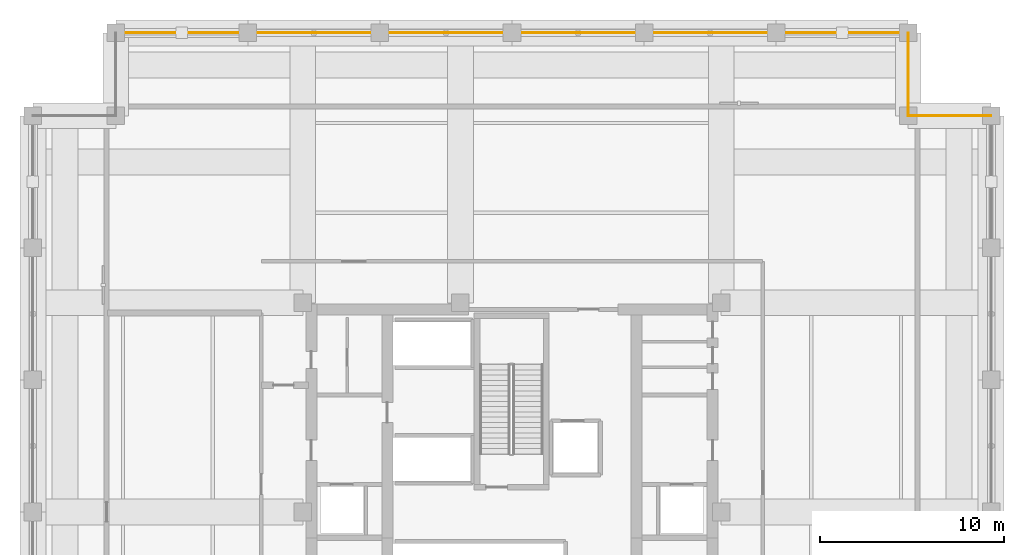
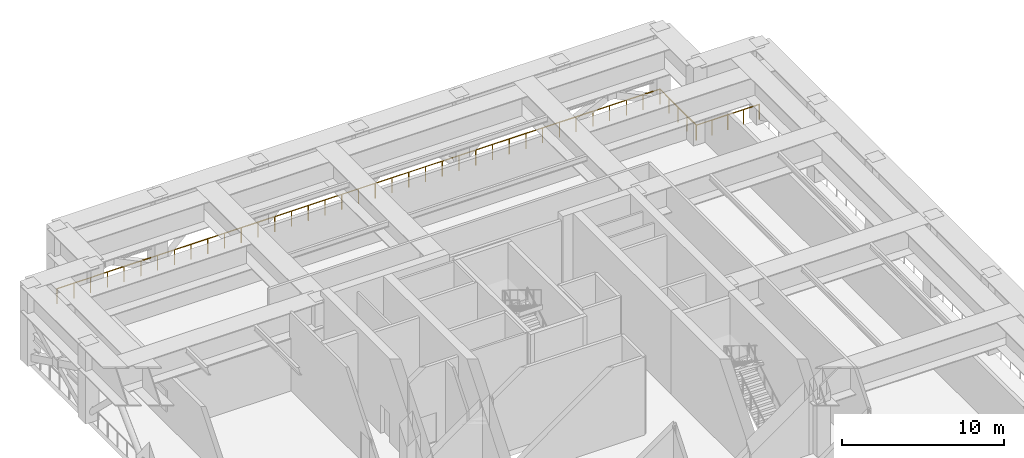
# One storey, part 12 of 12: 3 railings.
"""IFC4 building model written with IfcOpenShell, lengths in metres."""

from ifc_helpers import new_model, si_unit, direction, frame, origin, origin_2d, place, context, subcontext, project, spatial, circle, extrude, material, type_object, element, save


model = new_model("IFC4")

# Units and contexts
model_context = context("Model", 3, precision=1e-05, world=origin(), true_north=direction((0.0, 1.0)))
body_context = subcontext(model_context, "Body", "Model", "MODEL_VIEW")
ifc_project = project(units=[si_unit("LENGTHUNIT", "METRE"), si_unit("AREAUNIT", "SQUARE_METRE"), si_unit("VOLUMEUNIT", "CUBIC_METRE"), si_unit("PLANEANGLEUNIT", "RADIAN"), si_unit("MASSUNIT", "GRAM", prefix="KILO")], contexts=[model_context])

# Site, building, storey
site_placement = place(None, origin())
site = spatial("IfcSite", under=ifc_project, at=site_placement, CompositionType="ELEMENT")
building_placement = place(site_placement, origin())
building = spatial("IfcBuilding", under=site, at=building_placement, Name="Nhamokura Convention Tower", CompositionType="ELEMENT")
storey_placement = place(building_placement, frame((0.0, 0.0, 176.050048828125)))
storey = spatial("IfcBuildingStorey", under=building, at=storey_placement, Name="L43", CompositionType="ELEMENT", Elevation=176.050048828125)

# Railings
ifc_material = material(Name="Anodised bronze stainless steel", Category="steel")
railing_type = type_object("IfcRailingType", Name="TerraceGuardrail_1150", PredefinedType="GUARDRAIL", material=ifc_material)
railing_1_placement = place(storey_placement, frame((58.0, 53.5, 0.0)))
element("IfcRailing", 1, at=railing_1_placement, inside=storey, type_object=railing_type, Name="L43 Perimeter Guardrail 05", PredefinedType="GUARDRAIL", context=body_context, shape_type="SweptSolid", body=[
    extrude(circle(Radius=0.02392578125, at=origin_2d()), frame((0.0, 0.0, 1.1259765625), z_axis=(-1.0, 0.0, 0.0), x_axis=(0.0, -1.0, 0.0)), (0.0, 0.0, 1.0), 4.5),
    extrude(circle(Radius=0.02099609375, at=origin_2d()), origin(), (0.0, 0.0, 1.0), 1.101806640625),
    extrude(circle(Radius=0.02099609375, at=origin_2d()), frame((-1.125, 0.0, 0.0)), (0.0, 0.0, 1.0), 1.101806640625),
    extrude(circle(Radius=0.02099609375, at=origin_2d()), frame((-2.25, 0.0, 0.0)), (0.0, 0.0, 1.0), 1.101806640625),
    extrude(circle(Radius=0.02099609375, at=origin_2d()), frame((-3.375, 0.0, 0.0)), (0.0, 0.0, 1.0), 1.101806640625),
    extrude(circle(Radius=0.02099609375, at=origin_2d()), frame((-4.5, 0.0, 0.0)), (0.0, 0.0, 1.0), 1.101806640625),
])
railing_2_placement = place(storey_placement, frame((53.5, 53.5, 0.0)))
element("IfcRailing", 2, at=railing_2_placement, inside=storey, type_object=railing_type, Name="L43 Perimeter Guardrail 06", PredefinedType="GUARDRAIL", context=body_context, shape_type="SweptSolid", body=[
    extrude(circle(Radius=0.02392578125, at=origin_2d()), frame((0.0, 0.0, 1.1259765625), z_axis=(0.0, 1.0, 0.0), x_axis=(-1.0, 0.0, 0.0)), (0.0, 0.0, 1.0), 4.5),
    extrude(circle(Radius=0.02099609375, at=origin_2d()), origin(), (0.0, 0.0, 1.0), 1.101806640625),
    extrude(circle(Radius=0.02099609375, at=origin_2d()), frame((0.0, 1.125, 0.0)), (0.0, 0.0, 1.0), 1.101806640625),
    extrude(circle(Radius=0.02099609375, at=origin_2d()), frame((0.0, 2.25, 0.0)), (0.0, 0.0, 1.0), 1.101806640625),
    extrude(circle(Radius=0.02099609375, at=origin_2d()), frame((0.0, 3.375, 0.0)), (0.0, 0.0, 1.0), 1.101806640625),
    extrude(circle(Radius=0.02099609375, at=origin_2d()), frame((0.0, 4.5, 0.0)), (0.0, 0.0, 1.0), 1.101806640625),
])
railing_3_placement = place(storey_placement, frame((53.5, 58.0, 0.0)))
element("IfcRailing", 3, at=railing_3_placement, inside=storey, type_object=railing_type, Name="L43 Perimeter Guardrail 07", PredefinedType="GUARDRAIL", context=body_context, shape_type="SweptSolid", body=[
    extrude(circle(Radius=0.02392578125, at=origin_2d()), frame((0.0, 0.0, 1.1259765625), z_axis=(-1.0, 0.0, 0.0), x_axis=(0.0, -1.0, 0.0)), (0.0, 0.0, 1.0), 43.0),
    extrude(circle(Radius=0.02099609375, at=origin_2d()), origin(), (0.0, 0.0, 1.0), 1.101806640625),
    extrude(circle(Radius=0.02099609375, at=origin_2d()), frame((-1.1943359375, 0.0, 0.0)), (0.0, 0.0, 1.0), 1.101806640625),
    extrude(circle(Radius=0.02099609375, at=origin_2d()), frame((-2.388916015625, 0.0, 0.0)), (0.0, 0.0, 1.0), 1.101806640625),
    extrude(circle(Radius=0.02099609375, at=origin_2d()), frame((-3.583251953125, 0.0, 0.0)), (0.0, 0.0, 1.0), 1.101806640625),
    extrude(circle(Radius=0.02099609375, at=origin_2d()), frame((-4.77783203125, 0.0, 0.0)), (0.0, 0.0, 1.0), 1.101806640625),
    extrude(circle(Radius=0.02099609375, at=origin_2d()), frame((-5.97216796875, 0.0, 0.0)), (0.0, 0.0, 1.0), 1.101806640625),
    extrude(circle(Radius=0.02099609375, at=origin_2d()), frame((-7.166748046875, 0.0, 0.0)), (0.0, 0.0, 1.0), 1.101806640625),
    extrude(circle(Radius=0.02099609375, at=origin_2d()), frame((-8.361083984375, 0.0, 0.0)), (0.0, 0.0, 1.0), 1.101806640625),
    extrude(circle(Radius=0.02099609375, at=origin_2d()), frame((-9.5556640625, 0.0, 0.0)), (0.0, 0.0, 1.0), 1.101806640625),
    extrude(circle(Radius=0.02099609375, at=origin_2d()), frame((-10.75, 0.0, 0.0)), (0.0, 0.0, 1.0), 1.101806640625),
    extrude(circle(Radius=0.02099609375, at=origin_2d()), frame((-11.9443359375, 0.0, 0.0)), (0.0, 0.0, 1.0), 1.101806640625),
    extrude(circle(Radius=0.02099609375, at=origin_2d()), frame((-13.138916015625, 0.0, 0.0)), (0.0, 0.0, 1.0), 1.101806640625),
    extrude(circle(Radius=0.02099609375, at=origin_2d()), frame((-14.333251953125, 0.0, 0.0)), (0.0, 0.0, 1.0), 1.101806640625),
    extrude(circle(Radius=0.02099609375, at=origin_2d()), frame((-15.52783203125, 0.0, 0.0)), (0.0, 0.0, 1.0), 1.101806640625),
    extrude(circle(Radius=0.02099609375, at=origin_2d()), frame((-16.72216796875, 0.0, 0.0)), (0.0, 0.0, 1.0), 1.101806640625),
    extrude(circle(Radius=0.02099609375, at=origin_2d()), frame((-17.916748046875, 0.0, 0.0)), (0.0, 0.0, 1.0), 1.101806640625),
    extrude(circle(Radius=0.02099609375, at=origin_2d()), frame((-19.111083984375, 0.0, 0.0)), (0.0, 0.0, 1.0), 1.101806640625),
    extrude(circle(Radius=0.02099609375, at=origin_2d()), frame((-20.3056640625, 0.0, 0.0)), (0.0, 0.0, 1.0), 1.101806640625),
    extrude(circle(Radius=0.02099609375, at=origin_2d()), frame((-21.5, 0.0, 0.0)), (0.0, 0.0, 1.0), 1.101806640625),
    extrude(circle(Radius=0.02099609375, at=origin_2d()), frame((-22.6943359375, 0.0, 0.0)), (0.0, 0.0, 1.0), 1.101806640625),
    extrude(circle(Radius=0.02099609375, at=origin_2d()), frame((-23.888916015625, 0.0, 0.0)), (0.0, 0.0, 1.0), 1.101806640625),
    extrude(circle(Radius=0.02099609375, at=origin_2d()), frame((-25.083251953125, 0.0, 0.0)), (0.0, 0.0, 1.0), 1.101806640625),
    extrude(circle(Radius=0.02099609375, at=origin_2d()), frame((-26.27783203125, 0.0, 0.0)), (0.0, 0.0, 1.0), 1.101806640625),
    extrude(circle(Radius=0.02099609375, at=origin_2d()), frame((-27.47216796875, 0.0, 0.0)), (0.0, 0.0, 1.0), 1.101806640625),
    extrude(circle(Radius=0.02099609375, at=origin_2d()), frame((-28.666748046875, 0.0, 0.0)), (0.0, 0.0, 1.0), 1.101806640625),
    extrude(circle(Radius=0.02099609375, at=origin_2d()), frame((-29.861083984375, 0.0, 0.0)), (0.0, 0.0, 1.0), 1.101806640625),
    extrude(circle(Radius=0.02099609375, at=origin_2d()), frame((-31.0556640625, 0.0, 0.0)), (0.0, 0.0, 1.0), 1.101806640625),
    extrude(circle(Radius=0.02099609375, at=origin_2d()), frame((-32.25, 0.0, 0.0)), (0.0, 0.0, 1.0), 1.101806640625),
    extrude(circle(Radius=0.02099609375, at=origin_2d()), frame((-33.4443359375, 0.0, 0.0)), (0.0, 0.0, 1.0), 1.101806640625),
    extrude(circle(Radius=0.02099609375, at=origin_2d()), frame((-34.638916015625, 0.0, 0.0)), (0.0, 0.0, 1.0), 1.101806640625),
    extrude(circle(Radius=0.02099609375, at=origin_2d()), frame((-35.833251953125, 0.0, 0.0)), (0.0, 0.0, 1.0), 1.101806640625),
    extrude(circle(Radius=0.02099609375, at=origin_2d()), frame((-37.02783203125, 0.0, 0.0)), (0.0, 0.0, 1.0), 1.101806640625),
    extrude(circle(Radius=0.02099609375, at=origin_2d()), frame((-38.22216796875, 0.0, 0.0)), (0.0, 0.0, 1.0), 1.101806640625),
    extrude(circle(Radius=0.02099609375, at=origin_2d()), frame((-39.416748046875, 0.0, 0.0)), (0.0, 0.0, 1.0), 1.101806640625),
    extrude(circle(Radius=0.02099609375, at=origin_2d()), frame((-40.611083984375, 0.0, 0.0)), (0.0, 0.0, 1.0), 1.101806640625),
    extrude(circle(Radius=0.02099609375, at=origin_2d()), frame((-41.8056640625, 0.0, 0.0)), (0.0, 0.0, 1.0), 1.101806640625),
    extrude(circle(Radius=0.02099609375, at=origin_2d()), frame((-43.0, 0.0, 0.0)), (0.0, 0.0, 1.0), 1.101806640625),
])

save(model, "model.ifc")
